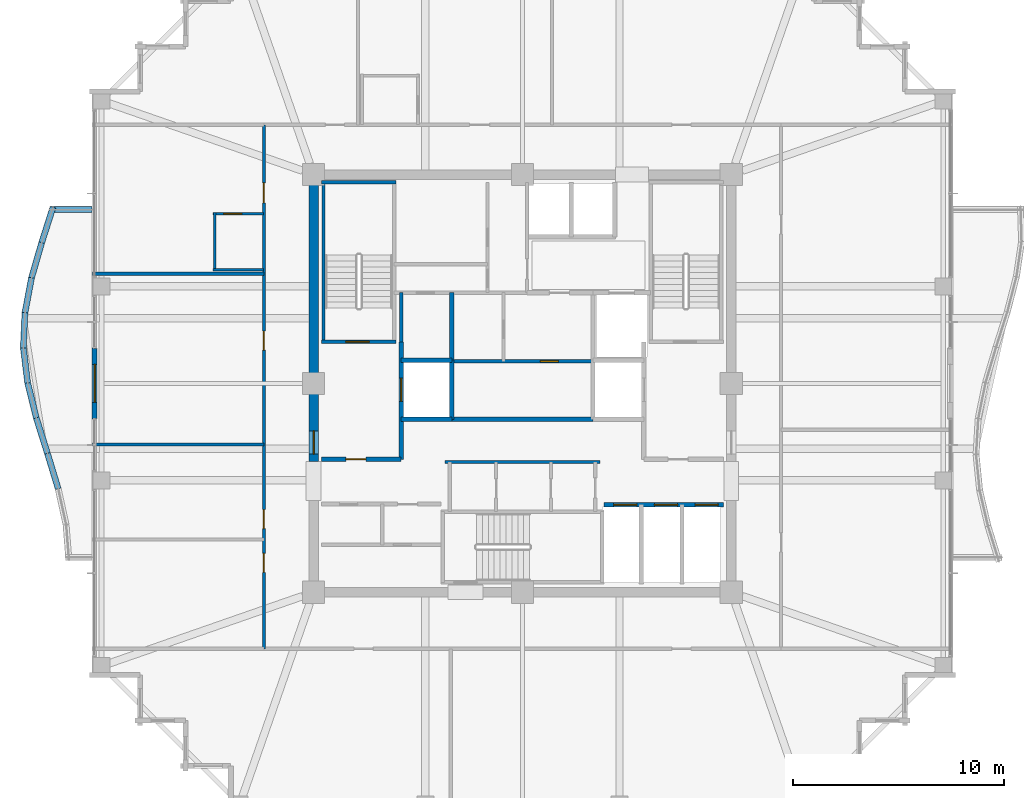
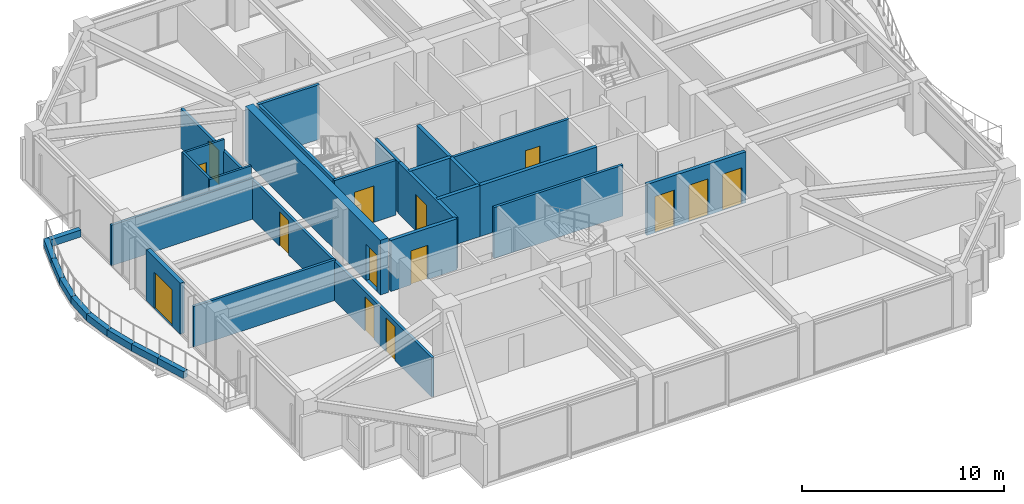
# One storey, part 29 of 34: 31 walls, 14 doors, 14 openings.
"""IFC4 building model written with IfcOpenShell, lengths in metres."""

from ifc_helpers import new_model, si_unit, direction, frame, frame_2d, origin, place, context, subcontext, project, spatial, rectangle, extrude, material, layer, layer_set, type_object, element, fill, save


model = new_model("IFC4")

# Units and contexts
model_context = context("Model", 3, precision=1e-05, world=origin(), true_north=direction((0.0, 1.0)))
body_context = subcontext(model_context, "Body", "Model", "MODEL_VIEW")
ifc_project = project(units=[si_unit("LENGTHUNIT", "METRE"), si_unit("AREAUNIT", "SQUARE_METRE"), si_unit("VOLUMEUNIT", "CUBIC_METRE"), si_unit("PLANEANGLEUNIT", "RADIAN"), si_unit("MASSUNIT", "GRAM", prefix="KILO")], contexts=[model_context])

# Site, building, storey
site_placement = place(None, origin())
site = spatial("IfcSite", under=ifc_project, at=site_placement, CompositionType="ELEMENT")
building_placement = place(site_placement, origin())
building = spatial("IfcBuilding", under=site, at=building_placement, Name="Kolvaren Belvedere", CompositionType="ELEMENT")
storey_placement = place(building_placement, frame((0.0, 0.0, 222.89990234375)))
storey = spatial("IfcBuildingStorey", under=building, at=storey_placement, Name="L65", CompositionType="ELEMENT", Elevation=222.89990234375)

# Wall, opening, door
ifc_material_1 = material(Name="Concrete C50/60", Category="concrete")
ifc_layer_1 = layer(ifc_material_1, 0.449951171875)
ifc_layer_set_1 = layer_set([ifc_layer_1], Name="Concrete C50/60")
wall_type_1 = type_object("IfcWallType", Name="CW-CORE-450", PredefinedType="SHEAR", material=ifc_layer_set_1)
wall_1_placement = place(storey_placement, frame((-9.89990234375, -3.699951171875, 0.0), z_axis=(0.0, 0.0, 1.0), x_axis=(0.0, 1.0, 0.0)))
wall_1 = element("IfcWall", 1, at=wall_1_placement, inside=storey, type_object=wall_type_1, Name="L65 West Core Shear Wall 2", PredefinedType="SHEAR", context=body_context, shape_type="SweptSolid", body=[
    extrude(rectangle(XDim=13.375, YDim=0.449951171875, at=frame_2d((6.6875, 0.0))), origin(), (0.0, 0.0, 1.0), 3.300048828125),
])
opening_1_placement = place(wall_1_placement, frame((0.35009765625, 0.0, 0.0)))
opening_1 = element("IfcOpeningElement", 2, at=opening_1_placement, cuts=wall_1, Name="Opening D-FD90", PredefinedType="OPENING", context=body_context, shape_type="SweptSolid", body=[
    extrude(rectangle(XDim=1.10009765625, YDim=2.199951171875, at=frame_2d((0.550048828125, 1.10009765625))), frame((0.0, 0.23486328125, 0.0), z_axis=(0.0, -1.0, 0.0), x_axis=(1.0, 0.0, 0.0)), (0.0, 0.0, 1.0), 0.469970703125),
])
ifc_material_2 = material(Name="Painted hollow stainless steel", Category="steel")
door_type_1 = type_object("IfcDoorType", Name="DR-FD90-1100", OperationType="NOTDEFINED", PredefinedType="DOOR", material=ifc_material_2)
door_1_placement = place(opening_1_placement, origin())
door_1 = element("IfcDoor", 3, at=door_1_placement, inside=storey, type_object=door_type_1, Name="L65 West Firefighting Lobby Fire Door", OperationType="SINGLE_SWING_LEFT", OverallHeight=2.199951171875, OverallWidth=1.10009765625, PredefinedType="DOOR", context=body_context, shape_type="SweptSolid", body=[
    extrude(rectangle(XDim=1.10009765625, YDim=2.199951171875, at=frame_2d((0.550048828125, 1.10009765625))), frame((0.0, 0.02490234375, 0.0), z_axis=(0.0, -1.0, 0.0), x_axis=(1.0, 0.0, 0.0)), (0.0, 0.0, 1.0), 0.050048828125),
])
fill(opening_1, door_1)

ifc_material_3 = material(Name="Concrete C50/60", Category="concrete")
ifc_layer_2 = layer(ifc_material_3, 0.159912109375)
ifc_layer_set_2 = layer_set([ifc_layer_2], Name="Concrete C50/60")
wall_type_2 = type_object("IfcWallType", Name="CW-STAIR-160", PredefinedType="SHEAR", material=ifc_layer_set_2)
wall_2_placement = place(storey_placement, frame((-9.52001953125, 1.969970703125, 0.0), z_axis=(0.0, 0.0, 1.0), x_axis=(1.0, 0.0, 0.0)))
wall_2 = element("IfcWall", 4, at=wall_2_placement, inside=storey, type_object=wall_type_2, Name="L65 Stair ST-1 South Shear Wall", PredefinedType="SHEAR", context=body_context, shape_type="SweptSolid", body=[
    extrude(rectangle(XDim=3.52001953125, YDim=0.159912109375, at=frame_2d((1.760009765625, 0.0))), origin(), (0.0, 0.0, 1.0), 3.300048828125),
])
opening_2_placement = place(wall_2_placement, frame((1.14990234375, 0.0, 0.0)))
opening_2 = element("IfcOpeningElement", 5, at=opening_2_placement, cuts=wall_2, Name="Opening D-FD90", PredefinedType="OPENING", context=body_context, shape_type="SweptSolid", body=[
    extrude(rectangle(XDim=1.10009765625, YDim=2.199951171875, at=frame_2d((0.550048828125, 1.10009765625))), frame((0.0, 0.08984375, 0.0), z_axis=(0.0, -1.0, 0.0), x_axis=(1.0, 0.0, 0.0)), (0.0, 0.0, 1.0), 0.179931640625),
])
door_2_placement = place(opening_2_placement, origin())
door_2 = element("IfcDoor", 6, at=door_2_placement, inside=storey, type_object=door_type_1, Name="L65 Stair ST-1 Fire Door", OperationType="SINGLE_SWING_LEFT", OverallHeight=2.199951171875, OverallWidth=1.10009765625, PredefinedType="DOOR", context=body_context, shape_type="SweptSolid", body=[
    extrude(rectangle(XDim=1.10009765625, YDim=2.199951171875, at=frame_2d((0.550048828125, 1.10009765625))), frame((0.0, 0.02490234375, 0.0), z_axis=(0.0, -1.0, 0.0), x_axis=(1.0, 0.0, 0.0)), (0.0, 0.0, 1.0), 0.050048828125),
])
fill(opening_2, door_2)

# Walls
wall_3_placement = place(storey_placement, frame((-9.52001953125, 9.530029296875, 0.0), z_axis=(0.0, 0.0, 1.0), x_axis=(1.0, 0.0, 0.0)))
element("IfcWall", 7, at=wall_3_placement, inside=storey, type_object=wall_type_2, Name="L65 Stair ST-1 North Shear Wall", PredefinedType="SHEAR", context=body_context, shape_type="SweptSolid", body=[
    extrude(rectangle(XDim=3.52001953125, YDim=0.159912109375, at=frame_2d((1.760009765625, 0.0))), origin(), (0.0, 0.0, 1.0), 3.300048828125),
])
wall_4_placement = place(storey_placement, frame((-9.429931640625, 1.969970703125, 0.0), z_axis=(0.0, 0.0, 1.0), x_axis=(0.0, 1.0, 0.0)))
element("IfcWall", 8, at=wall_4_placement, inside=storey, type_object=wall_type_2, Name="L65 Stair ST-1 West Shear Wall", PredefinedType="SHEAR", context=body_context, shape_type="SweptSolid", body=[
    extrude(rectangle(XDim=7.56005859375, YDim=0.159912109375, at=frame_2d((3.780029296875, 0.0))), origin(), (0.0, 0.0, 1.0), 3.300048828125),
])

# Wall, openings, doors
ifc_material_4 = material(Name="Gypsum fire-rated partition assembly", Category="gypsum")
ifc_layer_3 = layer(ifc_material_4, 0.14990234375)
ifc_layer_set_3 = layer_set([ifc_layer_3], Name="Gypsum fire-rated partition assembly")
wall_type_3 = type_object("IfcWallType", Name="WL-CORR-150", PredefinedType="PARTITIONING", material=ifc_layer_set_3)
wall_5_placement = place(storey_placement, frame((-12.260009765625, -12.580078125, 0.0), z_axis=(0.0, 0.0, 1.0), x_axis=(0.0, 1.0, 0.0)))
wall_5 = element("IfcWall", 9, at=wall_5_placement, inside=storey, type_object=wall_type_3, Name="L65 West Corridor Wall", PredefinedType="PARTITIONING", context=body_context, shape_type="SweptSolid", body=[
    extrude(rectangle(XDim=24.840087890625, YDim=0.14990234375, at=frame_2d((12.419921875, 0.0))), origin(), (0.0, 0.0, 1.0), 2.369140625),
])
opening_3_placement = place(wall_5_placement, frame((3.621826171875, 0.0, 0.0)))
opening_3 = element("IfcOpeningElement", 10, at=opening_3_placement, cuts=wall_5, Name="Opening D-INT90", PredefinedType="OPENING", context=body_context, shape_type="SweptSolid", body=[
    extrude(rectangle(XDim=0.89990234375, YDim=2.06005859375, at=frame_2d((0.449951171875, 1.030029296875))), frame((0.0, 0.0849609375, 0.0), z_axis=(0.0, -1.0, 0.0), x_axis=(1.0, 0.0, 0.0)), (0.0, 0.0, 1.0), 0.169921875),
])
opening_4_placement = place(wall_5_placement, frame((5.697998046875, 0.0, 0.0)))
opening_4 = element("IfcOpeningElement", 11, at=opening_4_placement, cuts=wall_5, Name="Opening D-INT90", PredefinedType="OPENING", context=body_context, shape_type="SweptSolid", body=[
    extrude(rectangle(XDim=0.89990234375, YDim=2.06005859375, at=frame_2d((0.449951171875, 1.030029296875))), frame((0.0, 0.0849609375, 0.0), z_axis=(0.0, -1.0, 0.0), x_axis=(1.0, 0.0, 0.0)), (0.0, 0.0, 1.0), 0.169921875),
])
opening_5_placement = place(wall_5_placement, frame((14.159912109375, 0.0, 0.0)))
opening_5 = element("IfcOpeningElement", 12, at=opening_5_placement, cuts=wall_5, Name="Opening D-INT90", PredefinedType="OPENING", context=body_context, shape_type="SweptSolid", body=[
    extrude(rectangle(XDim=0.89990234375, YDim=2.06005859375, at=frame_2d((0.449951171875, 1.030029296875))), frame((0.0, 0.0849609375, 0.0), z_axis=(0.0, -1.0, 0.0), x_axis=(1.0, 0.0, 0.0)), (0.0, 0.0, 1.0), 0.169921875),
])
opening_6_placement = place(wall_5_placement, frame((21.137451171875, 0.0, 0.0)))
opening_6 = element("IfcOpeningElement", 13, at=opening_6_placement, cuts=wall_5, Name="Opening D-FD60", PredefinedType="OPENING", context=body_context, shape_type="SweptSolid", body=[
    extrude(rectangle(XDim=0.949951171875, YDim=2.06005859375, at=frame_2d((0.47509765625, 1.030029296875))), frame((0.0, 0.0849609375, 0.0), z_axis=(0.0, -1.0, 0.0), x_axis=(1.0, 0.0, 0.0)), (0.0, 0.0, 1.0), 0.169921875),
])
ifc_material_5 = material(Name="Acoustic white-oak fire door leaf", Category="timber")
door_type_2 = type_object("IfcDoorType", Name="DR-FD60-950", OperationType="NOTDEFINED", PredefinedType="DOOR", material=ifc_material_5)
door_3_placement = place(opening_6_placement, origin())
door_3 = element("IfcDoor", 14, at=door_3_placement, inside=storey, type_object=door_type_2, Name="L65 King Guest Room 6508 Entry Door", OperationType="SINGLE_SWING_RIGHT", OverallHeight=2.06005859375, OverallWidth=0.949951171875, PredefinedType="DOOR", context=body_context, shape_type="SweptSolid", body=[
    extrude(rectangle(XDim=0.949951171875, YDim=2.06005859375, at=frame_2d((0.47509765625, 1.030029296875))), frame((0.0, 0.02490234375, 0.0), z_axis=(0.0, -1.0, 0.0), x_axis=(1.0, 0.0, 0.0)), (0.0, 0.0, 1.0), 0.050048828125),
])
fill(opening_6, door_3)
ifc_material_6 = material(Name="Stained Pacific white oak", Category="timber")
door_type_3 = type_object("IfcDoorType", Name="DR-INT-900", OperationType="NOTDEFINED", PredefinedType="DOOR", material=ifc_material_6)
door_4_placement = place(opening_3_placement, origin())
door_4 = element("IfcDoor", 15, at=door_4_placement, inside=storey, type_object=door_type_3, Name="L65 Wellness Yoga & Reading Gym 6505 Door", OperationType="SINGLE_SWING_RIGHT", OverallHeight=2.06005859375, OverallWidth=0.89990234375, PredefinedType="DOOR", context=body_context, shape_type="SweptSolid", body=[
    extrude(rectangle(XDim=0.89990234375, YDim=2.06005859375, at=frame_2d((0.449951171875, 1.030029296875))), frame((0.0, 0.02490234375, 0.0), z_axis=(0.0, -1.0, 0.0), x_axis=(1.0, 0.0, 0.0)), (0.0, 0.0, 1.0), 0.050048828125),
])
fill(opening_3, door_4)
door_5_placement = place(opening_4_placement, origin())
door_5 = element("IfcDoor", 16, at=door_5_placement, inside=storey, type_object=door_type_3, Name="L65 Private Hospitality Meeting Room 6506 Door", OperationType="SINGLE_SWING_LEFT", OverallHeight=2.06005859375, OverallWidth=0.89990234375, PredefinedType="DOOR", context=body_context, shape_type="SweptSolid", body=[
    extrude(rectangle(XDim=0.89990234375, YDim=2.06005859375, at=frame_2d((0.449951171875, 1.030029296875))), frame((0.0, 0.02490234375, 0.0), z_axis=(0.0, -1.0, 0.0), x_axis=(1.0, 0.0, 0.0)), (0.0, 0.0, 1.0), 0.050048828125),
])
fill(opening_4, door_5)
door_6_placement = place(opening_5_placement, origin())
door_6 = element("IfcDoor", 17, at=door_6_placement, inside=storey, type_object=door_type_3, Name="L65 Botanical Reading Salon 6507 Door", OperationType="SINGLE_SWING_RIGHT", OverallHeight=2.06005859375, OverallWidth=0.89990234375, PredefinedType="DOOR", context=body_context, shape_type="SweptSolid", body=[
    extrude(rectangle(XDim=0.89990234375, YDim=2.06005859375, at=frame_2d((0.449951171875, 1.030029296875))), frame((0.0, 0.02490234375, 0.0), z_axis=(0.0, -1.0, 0.0), x_axis=(1.0, 0.0, 0.0)), (0.0, 0.0, 1.0), 0.050048828125),
])
fill(opening_5, door_6)

# Wall, opening, door
ifc_material_7 = material(Name="Insulated pale-metal facade wall assembly", Category="aluminium")
ifc_layer_4 = layer(ifc_material_7, 0.239990234375)
ifc_layer_set_4 = layer_set([ifc_layer_4], Name="Insulated pale-metal facade wall assembly")
wall_type_4 = type_object("IfcWallType", Name="WL-EXT-240", PredefinedType="STANDARD", material=ifc_layer_set_4)
wall_6_placement = place(storey_placement, frame((-20.280029296875, -1.679931640625, 0.0), z_axis=(0.0, 0.0, 1.0), x_axis=(0.0, 1.0, 0.0)))
wall_6 = element("IfcWall", 18, at=wall_6_placement, inside=storey, type_object=wall_type_4, Name="L65 West Terrace Portal Wall", PredefinedType="STANDARD", context=body_context, shape_type="SweptSolid", body=[
    extrude(rectangle(XDim=3.35986328125, YDim=0.239990234375, at=frame_2d((1.679931640625, 0.0))), origin(), (0.0, 0.0, 1.0), 3.080078125),
])
opening_7_placement = place(wall_6_placement, frame((0.780029296875, 0.0, 0.0)))
opening_7 = element("IfcOpeningElement", 19, at=opening_7_placement, cuts=wall_6, Name="Opening DB-1800", PredefinedType="OPENING", context=body_context, shape_type="SweptSolid", body=[
    extrude(rectangle(XDim=1.800048828125, YDim=2.199951171875, at=frame_2d((0.89990234375, 1.10009765625))), frame((0.0, 0.1298828125, 0.0), z_axis=(0.0, -1.0, 0.0), x_axis=(1.0, 0.0, 0.0)), (0.0, 0.0, 1.0), 0.260009765625),
])
ifc_material_8 = material(Name="Thermally broken pale-metal aluminium & low-iron glass", Category="aluminium")
door_type_4 = type_object("IfcDoorType", Name="DR-BAL-1800", OperationType="DOUBLE_DOOR_SLIDING", PredefinedType="DOOR", material=ifc_material_8)
door_7_placement = place(opening_7_placement, origin())
door_7 = element("IfcDoor", 20, at=door_7_placement, inside=storey, type_object=door_type_4, Name="L65 West Planted Terrace Sliding Door", OperationType="DOUBLE_DOOR_SLIDING", OverallHeight=2.199951171875, OverallWidth=1.800048828125, PredefinedType="DOOR", context=body_context, shape_type="SweptSolid", body=[
    extrude(rectangle(XDim=1.800048828125, YDim=2.199951171875, at=frame_2d((0.89990234375, 1.10009765625))), frame((0.0, 0.02490234375, 0.0), z_axis=(0.0, -1.0, 0.0), x_axis=(1.0, 0.0, 0.0)), (0.0, 0.0, 1.0), 0.050048828125),
])
fill(opening_7, door_7)

ifc_material_9 = material(Name="Gypsum acoustic partition assembly", Category="gypsum")
ifc_layer_5 = layer(ifc_material_9, 0.14990234375)
ifc_layer_set_5 = layer_set([ifc_layer_5], Name="Gypsum acoustic partition assembly")
wall_type_5 = type_object("IfcWallType", Name="WL-PART-150", PredefinedType="PARTITIONING", material=ifc_layer_set_5)
wall_7_placement = place(storey_placement, frame((-3.35009765625, 1.050048828125, 0.0), z_axis=(0.0, 0.0, 1.0), x_axis=(1.0, 0.0, 0.0)))
wall_7 = element("IfcWall", 21, at=wall_7_placement, inside=storey, type_object=wall_type_5, Name="L65 Central Core H-Divider", PredefinedType="PARTITIONING", context=body_context, shape_type="SweptSolid", body=[
    extrude(rectangle(XDim=6.7001953125, YDim=0.14990234375, at=frame_2d((3.35009765625, 0.0))), origin(), (0.0, 0.0, 1.0), 3.080078125),
])
opening_8_placement = place(wall_7_placement, frame((4.199951171875, 0.0, 0.0)))
opening_8 = element("IfcOpeningElement", 22, at=opening_8_placement, cuts=wall_7, Name="Opening D-INT85", PredefinedType="OPENING", context=body_context, shape_type="SweptSolid", body=[
    extrude(rectangle(XDim=0.85009765625, YDim=2.030029296875, at=frame_2d((0.425048828125, 1.01513671875))), frame((0.0, 0.0849609375, 0.0), z_axis=(0.0, -1.0, 0.0), x_axis=(1.0, 0.0, 0.0)), (0.0, 0.0, 1.0), 0.169921875),
])
ifc_material_10 = material(Name="Stained Pacific white oak", Category="timber")
door_type_5 = type_object("IfcDoorType", Name="DR-INT-850", OperationType="NOTDEFINED", PredefinedType="DOOR", material=ifc_material_10)
door_8_placement = place(opening_8_placement, origin())
door_8 = element("IfcDoor", 23, at=door_8_placement, inside=storey, type_object=door_type_5, Name="L65 Central Metering Door", OperationType="SINGLE_SWING_LEFT", OverallHeight=2.030029296875, OverallWidth=0.85009765625, PredefinedType="DOOR", context=body_context, shape_type="SweptSolid", body=[
    extrude(rectangle(XDim=0.85009765625, YDim=2.030029296875, at=frame_2d((0.425048828125, 1.01513671875))), frame((0.0, 0.02490234375, 0.0), z_axis=(0.0, -1.0, 0.0), x_axis=(1.0, 0.0, 0.0)), (0.0, 0.0, 1.0), 0.050048828125),
])
fill(opening_8, door_8)

# Walls
wall_8_placement = place(storey_placement, frame((-3.679931640625, -3.719970703125, 0.0), z_axis=(0.0, 0.0, 1.0), x_axis=(1.0, 0.0, 0.0)))
element("IfcWall", 24, at=wall_8_placement, inside=storey, type_object=wall_type_5, Name="L65 South Core Service North Wall", PredefinedType="PARTITIONING", context=body_context, shape_type="SweptSolid", body=[
    extrude(rectangle(XDim=7.35986328125, YDim=0.14990234375, at=frame_2d((3.679931640625, 0.0))), origin(), (0.0, 0.0, 1.0), 3.080078125),
])
wall_9_placement = place(storey_placement, frame((-5.75, 1.969970703125, 0.0), z_axis=(0.0, 0.0, 1.0), x_axis=(0.0, 1.0, 0.0)))
element("IfcWall", 25, at=wall_9_placement, inside=storey, type_object=wall_type_5, Name="L65 NW Service Room West Wall", PredefinedType="PARTITIONING", context=body_context, shape_type="SweptSolid", body=[
    extrude(rectangle(XDim=2.330078125, YDim=0.14990234375, at=frame_2d((1.1650390625, 0.0))), origin(), (0.0, 0.0, 1.0), 3.080078125),
])
for number, where, z_axis, x_axis, name in (
    (26, (-20.3798828125, -2.89990234375, 0.0), (0.0, 0.0, 1.0), (1.0, 0.0, 0.0), "L65 West Suite Demising Wall 2"),
    (27, (-20.3798828125, 5.199951171875, 0.0), (0.0, 0.0, 1.0), (1.0, 0.0, 0.0), "L65 West Suite Demising Wall 3"),
):
    element("IfcWall", number, at=place(storey_placement, frame(where, z_axis=z_axis, x_axis=x_axis)), inside=storey, type_object=wall_type_5, Name=name, PredefinedType="PARTITIONING", context=body_context, shape_type="SweptSolid", body=[
        extrude(rectangle(XDim=8.119873046875, YDim=0.14990234375, at=frame_2d((4.06005859375, 0.0))), origin(), (0.0, 0.0, 1.0), 2.453125),
    ])
ifc_material_11 = material(Name="Precast concrete C40/50", Category="concrete")
ifc_layer_6 = layer(ifc_material_11, 0.300048828125)
ifc_layer_set_6 = layer_set([ifc_layer_6], Name="Precast concrete C40/50")
wall_type_6 = type_object("IfcWallType", Name="WL-PLANTER-300", PredefinedType="PARAPET", material=ifc_layer_set_6)
wall_10_placement = place(storey_placement, frame((-22.25390625, 8.351318359375, -0.039794921875), z_axis=(0.0, 0.0, 1.0), x_axis=(-0.304032153573, -0.952661770826, 0.0)))
element("IfcWall", 28, at=wall_10_placement, inside=storey, type_object=wall_type_6, Name="L65 Precast Structural Planter Wall BAL-W-1", PredefinedType="PARAPET", context=body_context, shape_type="SweptSolid", body=[
    extrude(rectangle(XDim=1.763427734375, YDim=0.280029296875, at=frame_2d((0.8818359375, 0.0))), origin(), (0.0, 0.0, 1.0), 0.419921875),
])
wall_11_placement = place(storey_placement, frame((-22.788818359375, 6.675537109375, -0.039794921875), z_axis=(0.0, 0.0, 1.0), x_axis=(-0.277817391164, -0.960633903819, 0.0)))
element("IfcWall", 29, at=wall_11_placement, inside=storey, type_object=wall_type_6, Name="L65 Precast Structural Planter Wall BAL-W-2", PredefinedType="PARAPET", context=body_context, shape_type="SweptSolid", body=[
    extrude(rectangle(XDim=1.748779296875, YDim=0.280029296875, at=frame_2d((0.87451171875, 0.0))), origin(), (0.0, 0.0, 1.0), 0.419921875),
])
wall_12_placement = place(storey_placement, frame((-23.271240234375, 5.010498046875, -0.039794921875), z_axis=(0.0, 0.0, 1.0), x_axis=(-0.184650661912, -0.982804219087, 0.0)))
element("IfcWall", 30, at=wall_12_placement, inside=storey, type_object=wall_type_6, Name="L65 Precast Structural Planter Wall BAL-W-3", PredefinedType="PARAPET", context=body_context, shape_type="SweptSolid", body=[
    extrude(rectangle(XDim=1.70947265625, YDim=0.280029296875, at=frame_2d((0.854736328125, 0.0))), origin(), (0.0, 0.0, 1.0), 0.419921875),
])
wall_13_placement = place(storey_placement, frame((-23.58447265625, 3.352783203125, -0.039794921875), z_axis=(0.0, 0.0, 1.0), x_axis=(-0.045005941428, -0.998986719249, 0.0)))
element("IfcWall", 31, at=wall_13_placement, inside=storey, type_object=wall_type_6, Name="L65 Precast Structural Planter Wall BAL-W-4", PredefinedType="PARAPET", context=body_context, shape_type="SweptSolid", body=[
    extrude(rectangle(XDim=1.681640625, YDim=0.280029296875, at=frame_2d((0.8408203125, 0.0))), origin(), (0.0, 0.0, 1.0), 0.419921875),
])
wall_14_placement = place(storey_placement, frame((-23.6611328125, 1.699462890625, -0.039794921875), z_axis=(0.0, 0.0, 1.0), x_axis=(0.121886315522, -0.99254406758, 0.0)))
element("IfcWall", 32, at=wall_14_placement, inside=storey, type_object=wall_type_6, Name="L65 Precast Structural Planter Wall BAL-W-5", PredefinedType="PARAPET", context=body_context, shape_type="SweptSolid", body=[
    extrude(rectangle(XDim=1.692626953125, YDim=0.280029296875, at=frame_2d((0.84619140625, 0.0))), origin(), (0.0, 0.0, 1.0), 0.419921875),
])
wall_15_placement = place(storey_placement, frame((-23.458251953125, 0.038330078125, -0.039794921875), z_axis=(0.0, 0.0, 1.0), x_axis=(0.239180748277, -0.970975061293, 0.0)))
element("IfcWall", 33, at=wall_15_placement, inside=storey, type_object=wall_type_6, Name="L65 Precast Structural Planter Wall BAL-W-6", PredefinedType="PARAPET", context=body_context, shape_type="SweptSolid", body=[
    extrude(rectangle(XDim=1.730224609375, YDim=0.280029296875, at=frame_2d((0.865234375, 0.0))), origin(), (0.0, 0.0, 1.0), 0.419921875),
])
wall_16_placement = place(storey_placement, frame((-23.047119140625, -1.632080078125, -0.039794921875), z_axis=(0.0, 0.0, 1.0), x_axis=(0.299624691176, -0.954057149461, 0.0)))
element("IfcWall", 34, at=wall_16_placement, inside=storey, type_object=wall_type_6, Name="L65 Precast Structural Planter Wall BAL-W-7", PredefinedType="PARAPET", context=body_context, shape_type="SweptSolid", body=[
    extrude(rectangle(XDim=1.7607421875, YDim=0.280029296875, at=frame_2d((0.88037109375, 0.0))), origin(), (0.0, 0.0, 1.0), 0.419921875),
])
wall_17_placement = place(storey_placement, frame((-22.51904296875, -3.3134765625, -0.039794921875), z_axis=(0.0, 0.0, 1.0), x_axis=(0.290879426191, -0.956759718748, 0.0)))
element("IfcWall", 35, at=wall_17_placement, inside=storey, type_object=wall_type_6, Name="L65 Precast Structural Planter Wall BAL-W-8", PredefinedType="PARAPET", context=body_context, shape_type="SweptSolid", body=[
    extrude(rectangle(XDim=1.755859375, YDim=0.280029296875, at=frame_2d((0.8779296875, 0.0))), origin(), (0.0, 0.0, 1.0), 0.419921875),
])
wall_18_placement = place(storey_placement, frame((-20.39990234375, 8.239990234375, -0.039794921875), z_axis=(0.0, 0.0, 1.0), x_axis=(-1.0, 0.0, 0.0)))
element("IfcWall", 36, at=wall_18_placement, inside=storey, type_object=wall_type_6, Name="L65 Precast Structural Planter Wall BAL-W-22", PredefinedType="PARAPET", context=body_context, shape_type="SweptSolid", body=[
    extrude(rectangle(XDim=2.00634765625, YDim=0.280029296875, at=frame_2d((1.003173828125, 0.0))), origin(), (0.0, 0.0, 1.0), 0.419921875),
])

# Wall, opening, door
ifc_material_12 = material(Name="Concrete C50/60", Category="concrete")
ifc_layer_7 = layer(ifc_material_12, 0.199951171875)
ifc_layer_set_7 = layer_set([ifc_layer_7], Name="Concrete C50/60")
wall_type_7 = type_object("IfcWallType", Name="WL-SHAFT-200", PredefinedType="SOLIDWALL", material=ifc_layer_set_7)
wall_19_placement = place(storey_placement, frame((-9.52001953125, -3.60009765625, 0.0), z_axis=(0.0, 0.0, 1.0), x_axis=(1.0, 0.0, 0.0)))
wall_19 = element("IfcWall", 37, at=wall_19_placement, inside=storey, type_object=wall_type_7, Name="L65 West FSAE Lobby South Wall", PredefinedType="SOLIDWALL", context=body_context, shape_type="SweptSolid", body=[
    extrude(rectangle(XDim=3.77001953125, YDim=0.199951171875, at=frame_2d((1.885009765625, 0.0))), origin(), (0.0, 0.0, 1.0), 3.080078125),
])
opening_9_placement = place(wall_19_placement, frame((1.14990234375, 0.0, 0.0)))
opening_9 = element("IfcOpeningElement", 38, at=opening_9_placement, cuts=wall_19, Name="Opening D-FD60", PredefinedType="OPENING", context=body_context, shape_type="SweptSolid", body=[
    extrude(rectangle(XDim=0.949951171875, YDim=2.06005859375, at=frame_2d((0.47509765625, 1.030029296875))), frame((0.0, 0.10986328125, 0.0), z_axis=(0.0, -1.0, 0.0), x_axis=(1.0, 0.0, 0.0)), (0.0, 0.0, 1.0), 0.219970703125),
])
door_9_placement = place(opening_9_placement, origin())
door_9 = element("IfcDoor", 39, at=door_9_placement, inside=storey, type_object=door_type_2, Name="L65 SW Lobby Fire Door", OperationType="SINGLE_SWING_LEFT", OverallHeight=2.06005859375, OverallWidth=0.949951171875, PredefinedType="DOOR", context=body_context, shape_type="SweptSolid", body=[
    extrude(rectangle(XDim=0.949951171875, YDim=2.06005859375, at=frame_2d((0.47509765625, 1.030029296875))), frame((0.0, 0.02490234375, 0.0), z_axis=(0.0, -1.0, 0.0), x_axis=(1.0, 0.0, 0.0)), (0.0, 0.0, 1.0), 0.050048828125),
])
fill(opening_9, door_9)

wall_20_placement = place(storey_placement, frame((-5.75, -3.60009765625, 0.0), z_axis=(0.0, 0.0, 1.0), x_axis=(0.0, 1.0, 0.0)))
wall_20 = element("IfcWall", 40, at=wall_20_placement, inside=storey, type_object=wall_type_7, Name="L65 FSAE FS1 Landing Wall", PredefinedType="SOLIDWALL", context=body_context, shape_type="SweptSolid", body=[
    extrude(rectangle(XDim=5.570068359375, YDim=0.199951171875, at=frame_2d((2.78515625, 0.0))), origin(), (0.0, 0.0, 1.0), 3.080078125),
])
opening_10_placement = place(wall_20_placement, frame((2.75, 0.0, 0.0)))
opening_10 = element("IfcOpeningElement", 41, at=opening_10_placement, cuts=wall_20, Name="Opening LD-11", PredefinedType="OPENING", context=body_context, shape_type="SweptSolid", body=[
    extrude(rectangle(XDim=1.10009765625, YDim=2.199951171875, at=frame_2d((0.550048828125, 1.10009765625))), frame((0.0, 0.10986328125, 0.0), z_axis=(0.0, -1.0, 0.0), x_axis=(1.0, 0.0, 0.0)), (0.0, 0.0, 1.0), 0.219970703125),
])
ifc_material_13 = material(Name="Brushed stainless steel", Category="steel")
door_type_6 = type_object("IfcDoorType", Name="DR-LIFT-1100", OperationType="DOUBLE_DOOR_SLIDING", PredefinedType="DOOR", material=ifc_material_13)
door_10_placement = place(opening_10_placement, origin())
door_10 = element("IfcDoor", 42, at=door_10_placement, inside=storey, type_object=door_type_6, Name="L65 Firefighting Lift FS1 Landing Door", OperationType="DOUBLE_DOOR_SLIDING", OverallHeight=2.199951171875, OverallWidth=1.10009765625, PredefinedType="DOOR", context=body_context, shape_type="SweptSolid", body=[
    extrude(rectangle(XDim=1.10009765625, YDim=2.199951171875, at=frame_2d((0.550048828125, 1.10009765625))), frame((0.0, 0.02490234375, 0.0), z_axis=(0.0, -1.0, 0.0), x_axis=(1.0, 0.0, 0.0)), (0.0, 0.0, 1.0), 0.050048828125),
])
fill(opening_10, door_10)

# Walls
wall_21_placement = place(storey_placement, frame((-3.35009765625, -1.699951171875, 0.0), z_axis=(0.0, 0.0, 1.0), x_axis=(0.0, 1.0, 0.0)))
element("IfcWall", 43, at=wall_21_placement, inside=storey, type_object=wall_type_7, Name="L65 FSAE FS1 Back Wall", PredefinedType="SOLIDWALL", context=body_context, shape_type="SweptSolid", body=[
    extrude(rectangle(XDim=2.800048828125, YDim=0.199951171875, at=frame_2d((1.39990234375, 0.0))), origin(), (0.0, 0.0, 1.0), 3.080078125),
])
for number, where, z_axis, x_axis, name in (
    (44, (-5.75, -1.699951171875, 0.0), (0.0, 0.0, 1.0), (1.0, 0.0, 0.0), "L65 FSAE FS1 South Wall"),
    (45, (-5.75, 1.10009765625, 0.0), (0.0, 0.0, 1.0), (1.0, 0.0, 0.0), "L65 FSAE FS1 North Wall"),
):
    element("IfcWall", number, at=place(storey_placement, frame(where, z_axis=z_axis, x_axis=x_axis)), inside=storey, type_object=wall_type_7, Name=name, PredefinedType="SOLIDWALL", context=body_context, shape_type="SweptSolid", body=[
        extrude(rectangle(XDim=2.39990234375, YDim=0.199951171875, at=frame_2d((1.199951171875, 0.0))), origin(), (0.0, 0.0, 1.0), 3.080078125),
    ])

# Wall, openings, doors
wall_22_placement = place(storey_placement, frame((3.860107421875, -5.75, 0.0), z_axis=(0.0, 0.0, 1.0), x_axis=(1.0, 0.0, 0.0)))
wall_22 = element("IfcWall", 46, at=wall_22_placement, inside=storey, type_object=wall_type_7, Name="L65 High-Rise Lift Bank Front Wall", PredefinedType="SOLIDWALL", context=body_context, shape_type="SweptSolid", body=[
    extrude(rectangle(XDim=5.659912109375, YDim=0.199951171875, at=frame_2d((2.830078125, 0.0))), origin(), (0.0, 0.0, 1.0), 3.080078125),
])
opening_11_placement = place(wall_22_placement, frame((0.4599609375, 0.0, 0.0)))
opening_11 = element("IfcOpeningElement", 47, at=opening_11_placement, cuts=wall_22, Name="Opening LD-11", PredefinedType="OPENING", context=body_context, shape_type="SweptSolid", body=[
    extrude(rectangle(XDim=1.10009765625, YDim=2.199951171875, at=frame_2d((0.550048828125, 1.10009765625))), frame((0.0, 0.10986328125, 0.0), z_axis=(0.0, -1.0, 0.0), x_axis=(1.0, 0.0, 0.0)), (0.0, 0.0, 1.0), 0.219970703125),
])
opening_12_placement = place(wall_22_placement, frame((2.389892578125, 0.0, 0.0)))
opening_12 = element("IfcOpeningElement", 48, at=opening_12_placement, cuts=wall_22, Name="Opening LD-11", PredefinedType="OPENING", context=body_context, shape_type="SweptSolid", body=[
    extrude(rectangle(XDim=1.10009765625, YDim=2.199951171875, at=frame_2d((0.550048828125, 1.10009765625))), frame((0.0, 0.10986328125, 0.0), z_axis=(0.0, -1.0, 0.0), x_axis=(1.0, 0.0, 0.0)), (0.0, 0.0, 1.0), 0.219970703125),
])
opening_13_placement = place(wall_22_placement, frame((4.320068359375, 0.0, 0.0)))
opening_13 = element("IfcOpeningElement", 49, at=opening_13_placement, cuts=wall_22, Name="Opening LD-11", PredefinedType="OPENING", context=body_context, shape_type="SweptSolid", body=[
    extrude(rectangle(XDim=1.10009765625, YDim=2.199951171875, at=frame_2d((0.550048828125, 1.10009765625))), frame((0.0, 0.10986328125, 0.0), z_axis=(0.0, -1.0, 0.0), x_axis=(1.0, 0.0, 0.0)), (0.0, 0.0, 1.0), 0.219970703125),
])
door_11_placement = place(opening_11_placement, origin())
door_11 = element("IfcDoor", 50, at=door_11_placement, inside=storey, type_object=door_type_6, Name="L65 Passenger Lift P7 Landing Door", OperationType="DOUBLE_DOOR_SLIDING", OverallHeight=2.199951171875, OverallWidth=1.10009765625, PredefinedType="DOOR", context=body_context, shape_type="SweptSolid", body=[
    extrude(rectangle(XDim=1.10009765625, YDim=2.199951171875, at=frame_2d((0.550048828125, 1.10009765625))), frame((0.0, 0.02490234375, 0.0), z_axis=(0.0, -1.0, 0.0), x_axis=(1.0, 0.0, 0.0)), (0.0, 0.0, 1.0), 0.050048828125),
])
fill(opening_11, door_11)
door_12_placement = place(opening_12_placement, origin())
door_12 = element("IfcDoor", 51, at=door_12_placement, inside=storey, type_object=door_type_6, Name="L65 Passenger Lift P8 Landing Door", OperationType="DOUBLE_DOOR_SLIDING", OverallHeight=2.199951171875, OverallWidth=1.10009765625, PredefinedType="DOOR", context=body_context, shape_type="SweptSolid", body=[
    extrude(rectangle(XDim=1.10009765625, YDim=2.199951171875, at=frame_2d((0.550048828125, 1.10009765625))), frame((0.0, 0.02490234375, 0.0), z_axis=(0.0, -1.0, 0.0), x_axis=(1.0, 0.0, 0.0)), (0.0, 0.0, 1.0), 0.050048828125),
])
fill(opening_12, door_12)
door_13_placement = place(opening_13_placement, origin())
door_13 = element("IfcDoor", 52, at=door_13_placement, inside=storey, type_object=door_type_6, Name="L65 Passenger Lift P9 Landing Door", OperationType="DOUBLE_DOOR_SLIDING", OverallHeight=2.199951171875, OverallWidth=1.10009765625, PredefinedType="DOOR", context=body_context, shape_type="SweptSolid", body=[
    extrude(rectangle(XDim=1.10009765625, YDim=2.199951171875, at=frame_2d((0.550048828125, 1.10009765625))), frame((0.0, 0.02490234375, 0.0), z_axis=(0.0, -1.0, 0.0), x_axis=(1.0, 0.0, 0.0)), (0.0, 0.0, 1.0), 0.050048828125),
])
fill(opening_13, door_13)

# Walls
wall_23_placement = place(storey_placement, frame((-3.35009765625, -1.699951171875, 0.0), z_axis=(0.0, 0.0, 1.0), x_axis=(1.0, 0.0, 0.0)))
element("IfcWall", 53, at=wall_23_placement, inside=storey, type_object=wall_type_7, Name="L65 Central Core Room South Wall", PredefinedType="SOLIDWALL", context=body_context, shape_type="SweptSolid", body=[
    extrude(rectangle(XDim=6.7001953125, YDim=0.199951171875, at=frame_2d((3.35009765625, 0.0))), origin(), (0.0, 0.0, 1.0), 3.080078125),
])
wall_24_placement = place(storey_placement, frame((-3.35009765625, 1.10009765625, 0.0), z_axis=(0.0, 0.0, 1.0), x_axis=(0.0, 1.0, 0.0)))
element("IfcWall", 54, at=wall_24_placement, inside=storey, type_object=wall_type_7, Name="L65 Central Core Room West Wall", PredefinedType="SOLIDWALL", context=body_context, shape_type="SweptSolid", body=[
    extrude(rectangle(XDim=3.199951171875, YDim=0.199951171875, at=frame_2d((1.60009765625, 0.0))), origin(), (0.0, 0.0, 1.0), 3.080078125),
])

# Wall, opening, door
ifc_material_14 = material(Name="Moisture-resistant gypsum partition", Category="gypsum")
ifc_layer_8 = layer(ifc_material_14, 0.125)
ifc_layer_set_8 = layer_set([ifc_layer_8], Name="Moisture-resistant gypsum partition")
wall_type_8 = type_object("IfcWallType", Name="WL-WET-125", PredefinedType="PARTITIONING", material=ifc_layer_set_8)
wall_25_placement = place(storey_placement, frame((-14.6650390625, 8.044921875, 0.0), z_axis=(0.0, 0.0, 1.0), x_axis=(1.0, 0.0, 0.0)))
wall_25 = element("IfcWall", 55, at=wall_25_placement, inside=storey, type_object=wall_type_8, Name="L65 Bathroom Partition PW-L65-BTH-8-N", PredefinedType="PARTITIONING", context=body_context, shape_type="SweptSolid", body=[
    extrude(rectangle(XDim=2.39013671875, YDim=0.125, at=frame_2d((1.195068359375, 0.0))), origin(), (0.0, 0.0, 1.0), 3.080078125),
])
opening_14_placement = place(wall_25_placement, frame((0.5, 0.0, 0.0)))
opening_14 = element("IfcOpeningElement", 56, at=opening_14_placement, cuts=wall_25, Name="Opening D-BTH85", PredefinedType="OPENING", context=body_context, shape_type="SweptSolid", body=[
    extrude(rectangle(XDim=0.85009765625, YDim=2.030029296875, at=frame_2d((0.425048828125, 1.01513671875))), frame((0.0, 0.072509765625, 0.0), z_axis=(0.0, -1.0, 0.0), x_axis=(1.0, 0.0, 0.0)), (0.0, 0.0, 1.0), 0.14501953125),
])
ifc_material_15 = material(Name="Moisture-sealed Pacific white oak", Category="timber")
door_type_7 = type_object("IfcDoorType", Name="DR-BATH-850", OperationType="NOTDEFINED", PredefinedType="DOOR", material=ifc_material_15)
door_14_placement = place(opening_14_placement, origin())
door_14 = element("IfcDoor", 57, at=door_14_placement, inside=storey, type_object=door_type_7, Name="L65 En-Suite Bathroom 6508 Door", OperationType="SINGLE_SWING_LEFT", OverallHeight=2.030029296875, OverallWidth=0.85009765625, PredefinedType="DOOR", context=body_context, shape_type="SweptSolid", body=[
    extrude(rectangle(XDim=0.85009765625, YDim=2.030029296875, at=frame_2d((0.425048828125, 1.01513671875))), frame((0.0, 0.02490234375, 0.0), z_axis=(0.0, -1.0, 0.0), x_axis=(1.0, 0.0, 0.0)), (0.0, 0.0, 1.0), 0.050048828125),
])
fill(opening_14, door_14)

# Walls
wall_26_placement = place(storey_placement, frame((-14.5849609375, 5.3349609375, 0.0), z_axis=(0.0, 0.0, 1.0), x_axis=(0.0, 1.0, 0.0)))
element("IfcWall", 58, at=wall_26_placement, inside=storey, type_object=wall_type_8, Name="L65 Bathroom Partition PW-L65-BTH-8-V", PredefinedType="PARTITIONING", context=body_context, shape_type="SweptSolid", body=[
    extrude(rectangle(XDim=2.77001953125, YDim=0.125, at=frame_2d((1.385009765625, 0.0))), origin(), (0.0, 0.0, 1.0), 3.080078125),
])
wall_27_placement = place(storey_placement, frame((-14.6650390625, 5.39501953125, 0.0), z_axis=(0.0, 0.0, 1.0), x_axis=(1.0, 0.0, 0.0)))
element("IfcWall", 59, at=wall_27_placement, inside=storey, type_object=wall_type_8, Name="L65 Bathroom Partition PW-L65-BTH-8-S", PredefinedType="PARTITIONING", context=body_context, shape_type="SweptSolid", body=[
    extrude(rectangle(XDim=2.39013671875, YDim=0.125, at=frame_2d((1.195068359375, 0.0))), origin(), (0.0, 0.0, 1.0), 3.080078125),
])

save(model, "model.ifc")
